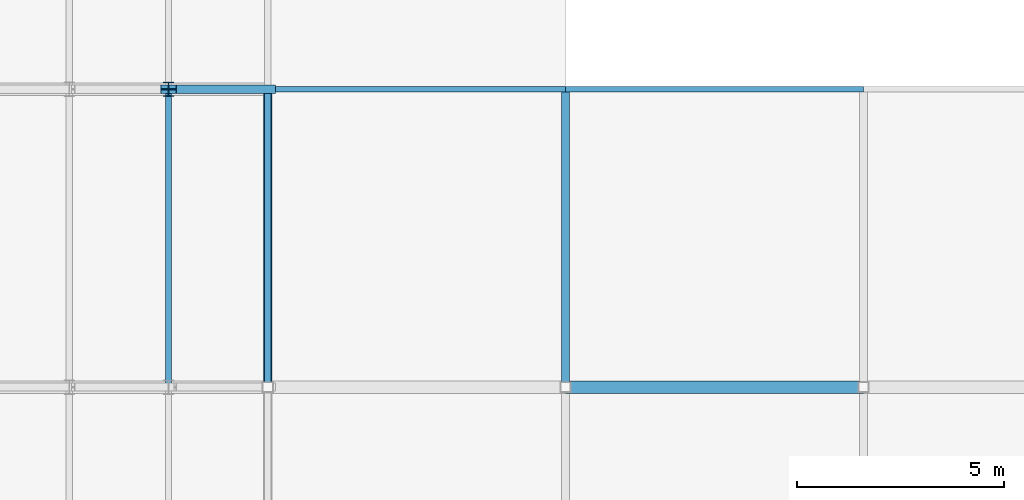
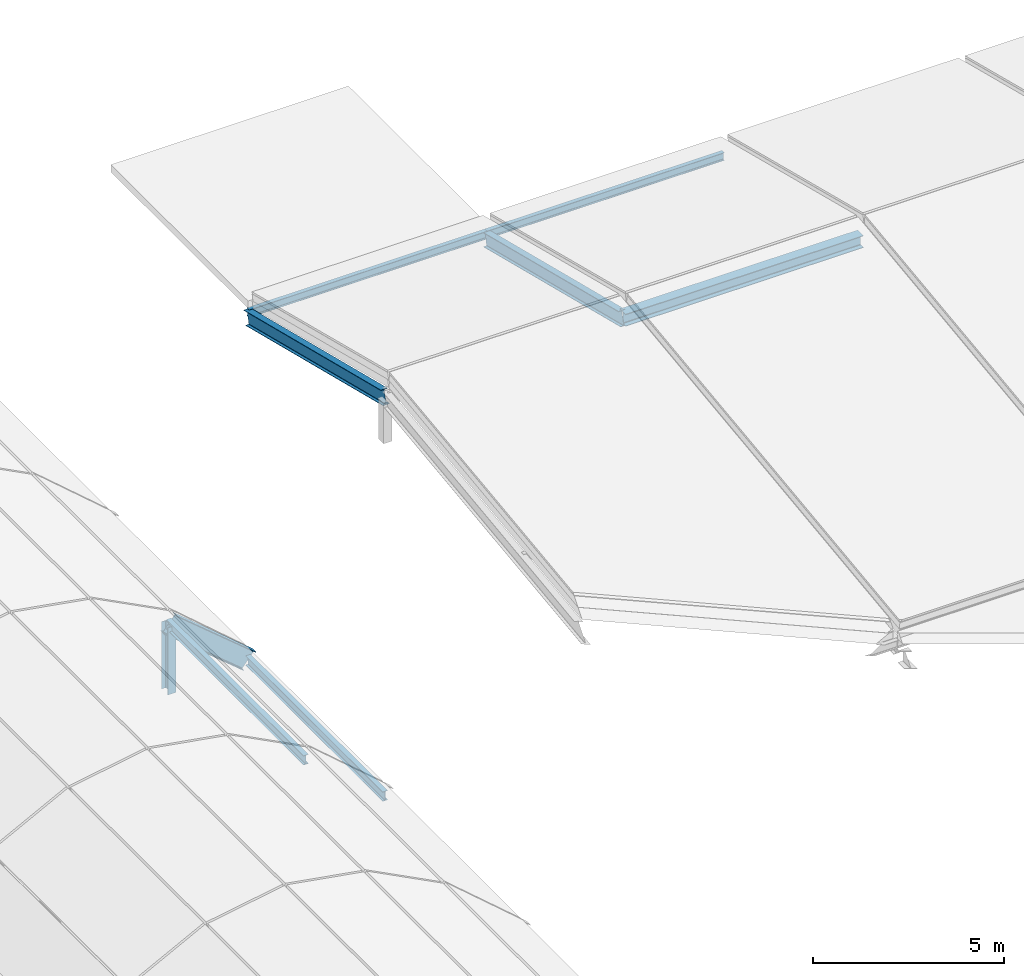
# One storey, part 17 of 60: 8 members, 1 beam.
"""IFC4 building model written with IfcOpenShell, lengths in metres."""

from ifc_helpers import new_model, si_unit, direction, frame, origin, origin_2d, place, context, subcontext, project, spatial, i_section, extrude, material, material_profile, profile_set, type_object, element, save


model = new_model("IFC4")

# Units and contexts
model_context = context("Model", 3, precision=1e-05, world=origin(), true_north=direction((0.0, 1.0)))
body_context = subcontext(model_context, "Body", "Model", "MODEL_VIEW")
ifc_project = project(units=[si_unit("LENGTHUNIT", "METRE"), si_unit("AREAUNIT", "SQUARE_METRE"), si_unit("VOLUMEUNIT", "CUBIC_METRE"), si_unit("PLANEANGLEUNIT", "RADIAN"), si_unit("MASSUNIT", "GRAM", prefix="KILO")], contexts=[model_context])

# Site, building, storey
site_placement = place(None, origin())
site = spatial("IfcSite", under=ifc_project, at=site_placement, CompositionType="ELEMENT")
building_placement = place(site_placement, origin())
building = spatial("IfcBuilding", under=site, at=building_placement, Name="Vesperath Aquatics Centre", CompositionType="ELEMENT")
storey_placement = place(building_placement, frame((0.0, 0.0, 27.60009765625)))
storey = spatial("IfcBuildingStorey", under=building, at=storey_placement, Name="RF", CompositionType="ELEMENT", Elevation=27.60009765625)

# Beam
ifc_material_1 = material(Name="Steel Q355D", Category="steel")
ifc_material_profile_1 = material_profile(ifc_material_1, i_section(OverallWidth=0.300048828125, OverallDepth=0.389892578125, WebThickness=0.010009765625, FlangeThickness=0.01611328125, FilletRadius=0.02197265625, at=origin_2d()), Name="HM 390x300x10x16")
ifc_profile_set_1 = profile_set([ifc_material_profile_1], Name="Steel Q355D")
beam_type = type_object("IfcBeamType", Name="BM-RB11", PredefinedType="BEAM", material=ifc_profile_set_1)
beam_placement = place(storey_placement, frame((122.39990234375, 21.60009765625, 1.39990234375), z_axis=(1.0, 0.0, 0.0), x_axis=(0.0, 1.0, 0.0)))
element("IfcBeam", 1, at=beam_placement, inside=storey, type_object=beam_type, Name="Boulevard Attic Ridge Girder RB11 18-19", PredefinedType="BEAM", context=body_context, shape_type="SweptSolid", body=[
    extrude(i_section(OverallWidth=0.300048828125, OverallDepth=0.389892578125, WebThickness=0.010009765625, FlangeThickness=0.01611328125, FilletRadius=0.02197265625, at=origin_2d()), origin(), (0.0, 0.0, 1.0), 7.2001953125),
])

# Members
ifc_material_profile_2 = material_profile(ifc_material_1, i_section(OverallWidth=0.199951171875, OverallDepth=0.60009765625, WebThickness=0.010986328125, FlangeThickness=0.01708984375, FilletRadius=0.02197265625, at=origin_2d()), Name="HN 600x200x11x17")
ifc_profile_set_2 = profile_set([ifc_material_profile_2], Name="Steel Q355D")
member_type_1 = type_object("IfcMemberType", Name="MB-AR01", PredefinedType="RAFTER", material=ifc_profile_set_2)
member_1_placement = place(storey_placement, frame((112.800048828125, 28.800048828125, -9.400146484375), z_axis=(0.768208468069, 0.0, -0.640199773186), x_axis=(0.0, 1.0, 0.0)))
element("IfcMember", 2, at=member_1_placement, inside=storey, type_object=member_type_1, Name="Conservatory Vault Arch Rib AR01 E-6", PredefinedType="RAFTER", context=body_context, shape_type="SweptSolid", body=[
    extrude(i_section(OverallWidth=0.199951171875, OverallDepth=0.60009765625, WebThickness=0.010986328125, FlangeThickness=0.01708984375, FilletRadius=0.02197265625, at=origin_2d()), origin(), (0.0, 0.0, 1.0), 3.1240234375),
])
ifc_material_profile_3 = material_profile(ifc_material_1, i_section(OverallWidth=0.199951171875, OverallDepth=0.449951171875, WebThickness=0.009033203125, FlangeThickness=0.013916015625, FilletRadius=0.01611328125, at=origin_2d()), Name="HN 450x200x9x14")
ifc_profile_set_3 = profile_set([ifc_material_profile_3], Name="Steel Q355D")
member_type_2 = type_object("IfcMemberType", Name="MB-AR02", PredefinedType="RAFTER", material=ifc_profile_set_3)
for number, where, z_axis, x_axis, name in (
    (3, (115.199951171875, 28.800048828125, -0.420166015625), (0.0, -0.970140565046, 0.242543365301), (1.0, 0.0, 0.0), "Boulevard Wing Roof Rafter AR02 North 17"),
    (4, (122.39990234375, 28.800048828125, -0.420166015625), (0.0, -0.970140565046, 0.242543365301), (1.0, 0.0, 0.0), "Boulevard Wing Roof Rafter AR02 North 18"),
):
    element("IfcMember", number, at=place(storey_placement, frame(where, z_axis=z_axis, x_axis=x_axis)), inside=storey, type_object=member_type_2, Name=name, PredefinedType="RAFTER", context=body_context, shape_type="SweptSolid", body=[
        extrude(i_section(OverallWidth=0.199951171875, OverallDepth=0.449951171875, WebThickness=0.009033203125, FlangeThickness=0.013916015625, FilletRadius=0.01611328125, at=origin_2d()), origin(), (0.0, 0.0, 1.0), 7.421630859375),
    ])
ifc_material_2 = material(Name="Steel Q355C", Category="steel")
ifc_material_profile_4 = material_profile(ifc_material_2, i_section(OverallWidth=0.14990234375, OverallDepth=0.300048828125, WebThickness=0.006591796875, FlangeThickness=0.009033203125, FilletRadius=0.012939453125, at=origin_2d()), Name="HN 300x150x6.5x9")
ifc_profile_set_4 = profile_set([ifc_material_profile_4], Name="Steel Q355C")
member_type_3 = type_object("IfcMemberType", Name="MB-PR02", PredefinedType="PURLIN", material=ifc_profile_set_4)
for number, where, z_axis, x_axis, name in (
    (5, (112.800048828125, 21.60009765625, -9.400146484375), (0.0, 1.0, 0.0), (-1.0, 0.0, 0.0), "Conservatory Vault Purlin PR02 D-6"),
    (6, (115.199951171875, 21.60009765625, -11.400146484375), (0.0, 1.0, 0.0), (-1.0, 0.0, 0.0), "Conservatory Vault Purlin PR02 D-7"),
):
    element("IfcMember", number, at=place(storey_placement, frame(where, z_axis=z_axis, x_axis=x_axis)), inside=storey, type_object=member_type_3, Name=name, PredefinedType="PURLIN", context=body_context, shape_type="SweptSolid", body=[
        extrude(i_section(OverallWidth=0.14990234375, OverallDepth=0.300048828125, WebThickness=0.006591796875, FlangeThickness=0.009033203125, FilletRadius=0.012939453125, at=origin_2d()), origin(), (0.0, 0.0, 1.0), 7.199951171875),
    ])
ifc_material_profile_5 = material_profile(ifc_material_2, i_section(OverallWidth=0.125, OverallDepth=0.25, WebThickness=0.006103515625, FlangeThickness=0.009033203125, FilletRadius=0.010009765625, at=origin_2d()), Name="HN 250x125x6x9")
ifc_profile_set_5 = profile_set([ifc_material_profile_5], Name="Steel Q355C")
member_type_4 = type_object("IfcMemberType", Name="MB-PR03", PredefinedType="PURLIN", material=ifc_profile_set_5)
member_2_placement = place(storey_placement, frame((115.199951171875, 28.800048828125, -0.2900390625), z_axis=(1.0, 0.0, 0.0), x_axis=(0.0, 1.0, 0.0)))
element("IfcMember", 7, at=member_2_placement, inside=storey, type_object=member_type_4, Name="Boulevard Wing Roof Purlin PR03 17-4", PredefinedType="PURLIN", context=body_context, shape_type="SweptSolid", body=[
    extrude(i_section(OverallWidth=0.125, OverallDepth=0.25, WebThickness=0.006103515625, FlangeThickness=0.009033203125, FilletRadius=0.010009765625, at=origin_2d()), origin(), (0.0, 0.0, 1.0), 7.199951171875),
])
member_3_placement = place(storey_placement, frame((122.39990234375, 28.800048828125, -0.2900390625), z_axis=(1.0, 0.0, 0.0), x_axis=(0.0, 1.0, 0.0)))
element("IfcMember", 8, at=member_3_placement, inside=storey, type_object=member_type_4, Name="Boulevard Wing Roof Purlin PR03 18-4", PredefinedType="PURLIN", context=body_context, shape_type="SweptSolid", body=[
    extrude(i_section(OverallWidth=0.125, OverallDepth=0.25, WebThickness=0.006103515625, FlangeThickness=0.009033203125, FilletRadius=0.010009765625, at=origin_2d()), origin(), (0.0, 0.0, 1.0), 7.2001953125),
])
ifc_material_profile_6 = material_profile(ifc_material_1, i_section(OverallWidth=0.25, OverallDepth=0.340087890625, WebThickness=0.009033203125, FlangeThickness=0.013916015625, FilletRadius=0.02001953125, at=origin_2d()), Name="HM 340x250x9x14")
ifc_profile_set_6 = profile_set([ifc_material_profile_6], Name="Steel Q355D")
member_type_5 = type_object("IfcMemberType", Name="MB-TP02", PredefinedType="POST", material=ifc_profile_set_6)
member_4_placement = place(storey_placement, frame((112.800048828125, 28.800048828125, -11.550048828125), z_axis=(0.0, 0.0, 1.0), x_axis=(1.0, 0.0, 0.0)))
element("IfcMember", 9, at=member_4_placement, inside=storey, type_object=member_type_5, Name="Conservatory Vault Post TP02 E-5", PredefinedType="POST", context=body_context, shape_type="SweptSolid", body=[
    extrude(i_section(OverallWidth=0.25, OverallDepth=0.340087890625, WebThickness=0.009033203125, FlangeThickness=0.013916015625, FilletRadius=0.02001953125, at=origin_2d()), origin(), (0.0, 0.0, 1.0), 2.14990234375),
])

save(model, "model.ifc")
